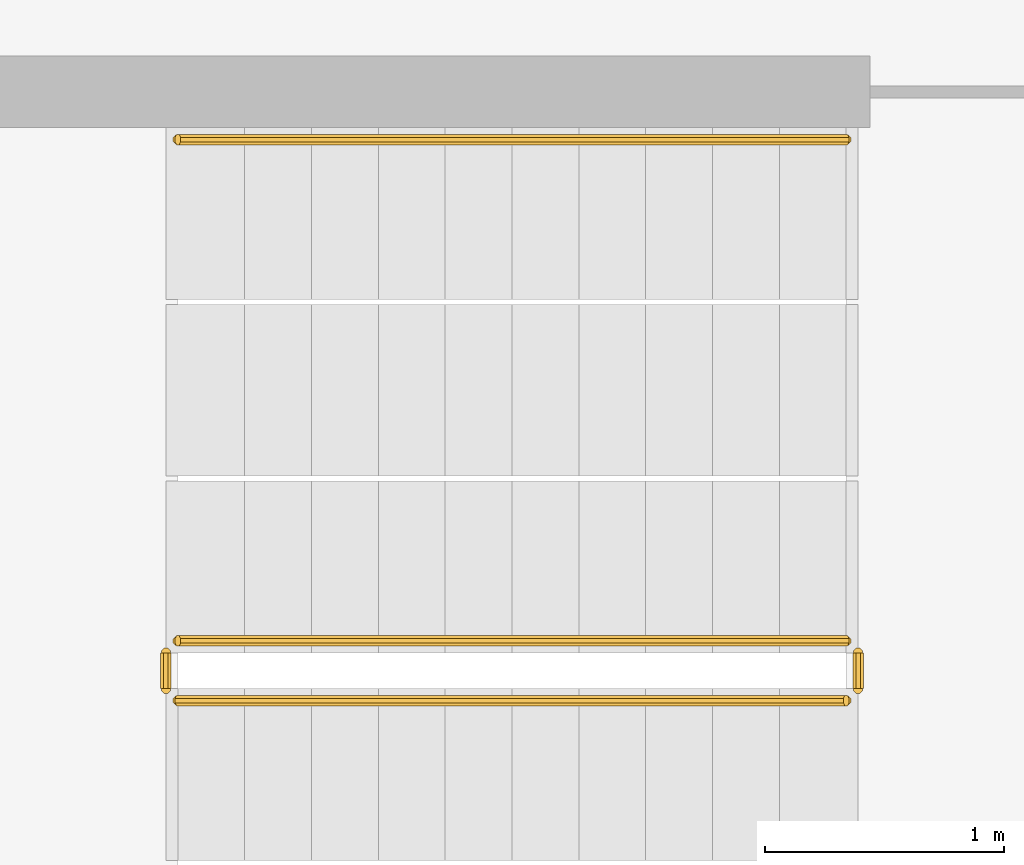
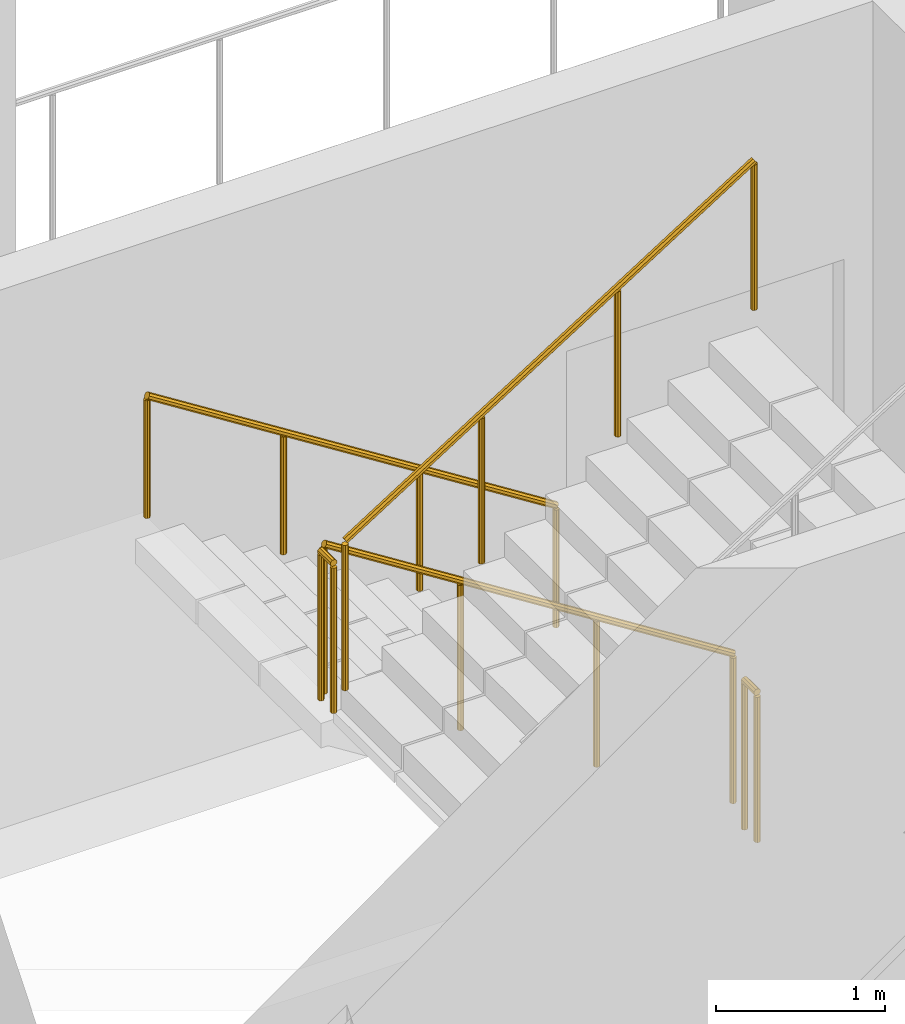
# One storey, part 20 of 26: 5 railings.
"""IFC4 building model written with IfcOpenShell, lengths in metres."""

from ifc_helpers import new_model, si_unit, direction, frame, origin, place, context, subcontext, project, spatial, polyline, outline, extrude, material, type_object, element, save


model = new_model("IFC4")

# Units and contexts
model_context = context("Model", 3, precision=1e-05, world=origin(), true_north=direction((0.0, 1.0)))
body_context = subcontext(model_context, "Body", "Model", "MODEL_VIEW")
ifc_project = project(units=[si_unit("LENGTHUNIT", "METRE"), si_unit("AREAUNIT", "SQUARE_METRE"), si_unit("VOLUMEUNIT", "CUBIC_METRE"), si_unit("PLANEANGLEUNIT", "RADIAN"), si_unit("MASSUNIT", "GRAM", prefix="KILO")], contexts=[model_context])

# Site, building, storey
site_placement = place(None, origin())
site = spatial("IfcSite", under=ifc_project, at=site_placement, CompositionType="ELEMENT")
building_placement = place(site_placement, origin())
building = spatial("IfcBuilding", under=site, at=building_placement, Name="Cormorant Relay Tower", CompositionType="ELEMENT")
storey_placement = place(building_placement, frame((0.0, 0.0, 261.89990234375)))
storey = spatial("IfcBuildingStorey", under=building, at=storey_placement, Name="L58", CompositionType="ELEMENT", Elevation=261.89990234375)

# Railings
ifc_material_1 = material(Name="Steel ASTM A572 Grade 50 (Fy 345 MPa)", Category="steel")
railing_type_1 = type_object("IfcRailingType", Name="Stair guard 1100", PredefinedType="GUARDRAIL", material=ifc_material_1)
railing_1_placement = place(storey_placement, frame((1.60009765625, -18.27490234375, 0.177490234375)))
element("IfcRailing", 1, at=railing_1_placement, inside=storey, type_object=railing_type_1, Name="L58 RK1 stair guard 1", PredefinedType="GUARDRAIL", context=body_context, shape_type="SweptSolid", body=[
    extrude(outline(polyline([(0.022216796875, 0.00927734375), (0.00927734375, 0.022216796875), (-0.00927734375, 0.022216796875), (-0.022216796875, 0.00927734375), (-0.022216796875, -0.00927734375), (-0.00927734375, -0.022216796875), (0.00927734375, -0.022216796875), (0.022216796875, -0.00927734375), (0.022216796875, 0.00927734375)])), frame((0.0, 0.0, 1.076171875), z_axis=(-0.844908973607, 0.0, 0.534910110503), x_axis=(0.0, -1.0, 0.0)), (0.0, 0.0, 1.0), 3.31396484375),
    extrude(outline(polyline([(0.019287109375, 0.008056640625), (0.008056640625, 0.019287109375), (-0.008056640625, 0.019287109375), (-0.019287109375, 0.008056640625), (-0.019287109375, -0.008056640625), (-0.008056640625, -0.019287109375), (0.008056640625, -0.019287109375), (0.019287109375, -0.008056640625), (0.019287109375, 0.008056640625)])), origin(), (0.0, 0.0, 1.0), 1.052001953125),
    extrude(outline(polyline([(0.019287109375, 0.008056640625), (0.008056640625, 0.019287109375), (-0.008056640625, 0.019287109375), (-0.019287109375, 0.008056640625), (-0.019287109375, -0.008056640625), (-0.008056640625, -0.019287109375), (0.008056640625, -0.019287109375), (0.019287109375, -0.008056640625), (0.019287109375, 0.008056640625)])), frame((-0.933349609375, 0.0, 0.5908203125)), (0.0, 0.0, 1.0), 1.052001953125),
    extrude(outline(polyline([(0.019287109375, 0.008056640625), (0.008056640625, 0.019287109375), (-0.008056640625, 0.019287109375), (-0.019287109375, 0.008056640625), (-0.019287109375, -0.008056640625), (-0.008056640625, -0.019287109375), (0.008056640625, -0.019287109375), (0.019287109375, -0.008056640625), (0.019287109375, 0.008056640625)])), frame((-1.86669921875, 0.0, 1.181884765625)), (0.0, 0.0, 1.0), 1.052001953125),
    extrude(outline(polyline([(0.019287109375, 0.008056640625), (0.008056640625, 0.019287109375), (-0.008056640625, 0.019287109375), (-0.019287109375, 0.008056640625), (-0.019287109375, -0.008056640625), (-0.008056640625, -0.019287109375), (0.008056640625, -0.019287109375), (0.019287109375, -0.008056640625), (0.019287109375, 0.008056640625)])), frame((-2.800048828125, 0.0, 1.772705078125)), (0.0, 0.0, 1.0), 1.052001953125),
])
railing_2_placement = place(storey_placement, frame((-1.25, -18.324951171875, 1.9501953125)))
element("IfcRailing", 2, at=railing_2_placement, inside=storey, type_object=railing_type_1, Name="L58 RK1 stair guard 2", PredefinedType="GUARDRAIL", context=body_context, shape_type="SweptSolid", body=[
    extrude(outline(polyline([(0.022216796875, 0.00927734375), (0.00927734375, 0.022216796875), (-0.00927734375, 0.022216796875), (-0.022216796875, 0.00927734375), (-0.022216796875, -0.00927734375), (-0.00927734375, -0.022216796875), (0.00927734375, -0.022216796875), (0.022216796875, -0.00927734375), (0.022216796875, 0.00927734375)])), frame((0.0, 0.0, 1.076171875), z_axis=(0.0, -1.0, 0.0), x_axis=(1.0, 0.0, 0.0)), (0.0, 0.0, 1.0), 0.150146484375),
    extrude(outline(polyline([(0.019287109375, 0.008056640625), (0.008056640625, 0.019287109375), (-0.008056640625, 0.019287109375), (-0.019287109375, 0.008056640625), (-0.019287109375, -0.008056640625), (-0.008056640625, -0.019287109375), (0.008056640625, -0.019287109375), (0.019287109375, -0.008056640625), (0.019287109375, 0.008056640625)])), origin(), (0.0, 0.0, 1.0), 1.052001953125),
    extrude(outline(polyline([(0.019287109375, 0.008056640625), (0.008056640625, 0.019287109375), (-0.008056640625, 0.019287109375), (-0.019287109375, 0.008056640625), (-0.019287109375, -0.008056640625), (-0.008056640625, -0.019287109375), (0.008056640625, -0.019287109375), (0.019287109375, -0.008056640625), (0.019287109375, 0.008056640625)])), frame((0.0, -0.150146484375, 0.0)), (0.0, 0.0, 1.0), 1.052001953125),
])
railing_3_placement = place(storey_placement, frame((-1.199951171875, -18.52490234375, 2.12744140625)))
element("IfcRailing", 3, at=railing_3_placement, inside=storey, type_object=railing_type_1, Name="L58 RK1 stair guard 3", PredefinedType="GUARDRAIL", context=body_context, shape_type="SweptSolid", body=[
    extrude(outline(polyline([(0.022216796875, 0.00927734375), (0.00927734375, 0.022216796875), (-0.00927734375, 0.022216796875), (-0.022216796875, 0.00927734375), (-0.022216796875, -0.00927734375), (-0.00927734375, -0.022216796875), (0.00927734375, -0.022216796875), (0.022216796875, -0.00927734375), (0.022216796875, 0.00927734375)])), frame((0.0, 0.0, 1.076171875), z_axis=(0.844908973607, 0.0, 0.534910110503), x_axis=(0.0, 1.0, 0.0)), (0.0, 0.0, 1.0), 3.31396484375),
    extrude(outline(polyline([(0.019287109375, 0.008056640625), (0.008056640625, 0.019287109375), (-0.008056640625, 0.019287109375), (-0.019287109375, 0.008056640625), (-0.019287109375, -0.008056640625), (-0.008056640625, -0.019287109375), (0.008056640625, -0.019287109375), (0.019287109375, -0.008056640625), (0.019287109375, 0.008056640625)])), origin(), (0.0, 0.0, 1.0), 1.052001953125),
    extrude(outline(polyline([(0.019287109375, 0.008056640625), (0.008056640625, 0.019287109375), (-0.008056640625, 0.019287109375), (-0.019287109375, 0.008056640625), (-0.019287109375, -0.008056640625), (-0.008056640625, -0.019287109375), (0.008056640625, -0.019287109375), (0.019287109375, -0.008056640625), (0.019287109375, 0.008056640625)])), frame((0.933349609375, 0.0, 0.5908203125)), (0.0, 0.0, 1.0), 1.052001953125),
    extrude(outline(polyline([(0.019287109375, 0.008056640625), (0.008056640625, 0.019287109375), (-0.008056640625, 0.019287109375), (-0.019287109375, 0.008056640625), (-0.019287109375, -0.008056640625), (-0.008056640625, -0.019287109375), (0.008056640625, -0.019287109375), (0.019287109375, -0.008056640625), (0.019287109375, 0.008056640625)])), frame((1.86669921875, 0.0, 1.181884765625)), (0.0, 0.0, 1.0), 1.052001953125),
    extrude(outline(polyline([(0.019287109375, 0.008056640625), (0.008056640625, 0.019287109375), (-0.008056640625, 0.019287109375), (-0.019287109375, 0.008056640625), (-0.019287109375, -0.008056640625), (-0.008056640625, -0.019287109375), (0.008056640625, -0.019287109375), (0.019287109375, -0.008056640625), (0.019287109375, 0.008056640625)])), frame((2.800048828125, 0.0, 1.772705078125)), (0.0, 0.0, 1.0), 1.052001953125),
])
railing_4_placement = place(storey_placement, frame((1.64990234375, -18.324951171875, 0.0)))
element("IfcRailing", 4, at=railing_4_placement, inside=storey, type_object=railing_type_1, Name="L58 RK1 stair guard 4", PredefinedType="GUARDRAIL", context=body_context, shape_type="SweptSolid", body=[
    extrude(outline(polyline([(0.022216796875, 0.00927734375), (0.00927734375, 0.022216796875), (-0.00927734375, 0.022216796875), (-0.022216796875, 0.00927734375), (-0.022216796875, -0.00927734375), (-0.00927734375, -0.022216796875), (0.00927734375, -0.022216796875), (0.022216796875, -0.00927734375), (0.022216796875, 0.00927734375)])), frame((0.0, 0.0, 1.076171875), z_axis=(0.0, -1.0, 0.0), x_axis=(1.0, 0.0, 0.0)), (0.0, 0.0, 1.0), 0.150146484375),
    extrude(outline(polyline([(0.019287109375, 0.008056640625), (0.008056640625, 0.019287109375), (-0.008056640625, 0.019287109375), (-0.019287109375, 0.008056640625), (-0.019287109375, -0.008056640625), (-0.008056640625, -0.019287109375), (0.008056640625, -0.019287109375), (0.019287109375, -0.008056640625), (0.019287109375, 0.008056640625)])), origin(), (0.0, 0.0, 1.0), 1.052001953125),
    extrude(outline(polyline([(0.019287109375, 0.008056640625), (0.008056640625, 0.019287109375), (-0.008056640625, 0.019287109375), (-0.019287109375, 0.008056640625), (-0.019287109375, -0.008056640625), (-0.008056640625, -0.019287109375), (0.008056640625, -0.019287109375), (0.019287109375, -0.008056640625), (0.019287109375, 0.008056640625)])), frame((0.0, -0.150146484375, 0.0)), (0.0, 0.0, 1.0), 1.052001953125),
])
ifc_material_2 = material(Name="Steel ASTM A572 Grade 50 (Fy 345 MPa)", Category="steel")
railing_type_2 = type_object("IfcRailingType", Name="Stair handrail 900", PredefinedType="HANDRAIL", material=ifc_material_2)
railing_5_placement = place(storey_placement, frame((1.60009765625, -16.175048828125, 0.177490234375)))
element("IfcRailing", 5, at=railing_5_placement, inside=storey, type_object=railing_type_2, Name="L58 RK1 stair handrail 1", PredefinedType="HANDRAIL", context=body_context, shape_type="SweptSolid", body=[
    extrude(outline(polyline([(0.022216796875, 0.00927734375), (0.00927734375, 0.022216796875), (-0.00927734375, 0.022216796875), (-0.022216796875, 0.00927734375), (-0.022216796875, -0.00927734375), (-0.00927734375, -0.022216796875), (0.00927734375, -0.022216796875), (0.022216796875, -0.00927734375), (0.022216796875, 0.00927734375)])), frame((0.0, 0.0, 0.8759765625), z_axis=(-0.844908973607, 0.0, 0.534910110503), x_axis=(0.0, -1.0, 0.0)), (0.0, 0.0, 1.0), 3.31396484375),
    extrude(outline(polyline([(0.019287109375, 0.008056640625), (0.008056640625, 0.019287109375), (-0.008056640625, 0.019287109375), (-0.019287109375, 0.008056640625), (-0.019287109375, -0.008056640625), (-0.008056640625, -0.019287109375), (0.008056640625, -0.019287109375), (0.019287109375, -0.008056640625), (0.019287109375, 0.008056640625)])), origin(), (0.0, 0.0, 1.0), 0.851806640625),
    extrude(outline(polyline([(0.019287109375, 0.008056640625), (0.008056640625, 0.019287109375), (-0.008056640625, 0.019287109375), (-0.019287109375, 0.008056640625), (-0.019287109375, -0.008056640625), (-0.008056640625, -0.019287109375), (0.008056640625, -0.019287109375), (0.019287109375, -0.008056640625), (0.019287109375, 0.008056640625)])), frame((-0.933349609375, 0.0, 0.5908203125)), (0.0, 0.0, 1.0), 0.851806640625),
    extrude(outline(polyline([(0.019287109375, 0.008056640625), (0.008056640625, 0.019287109375), (-0.008056640625, 0.019287109375), (-0.019287109375, 0.008056640625), (-0.019287109375, -0.008056640625), (-0.008056640625, -0.019287109375), (0.008056640625, -0.019287109375), (0.019287109375, -0.008056640625), (0.019287109375, 0.008056640625)])), frame((-1.86669921875, 0.0, 1.181884765625)), (0.0, 0.0, 1.0), 0.851806640625),
    extrude(outline(polyline([(0.019287109375, 0.008056640625), (0.008056640625, 0.019287109375), (-0.008056640625, 0.019287109375), (-0.019287109375, 0.008056640625), (-0.019287109375, -0.008056640625), (-0.008056640625, -0.019287109375), (0.008056640625, -0.019287109375), (0.019287109375, -0.008056640625), (0.019287109375, 0.008056640625)])), frame((-2.800048828125, 0.0, 1.772705078125)), (0.0, 0.0, 1.0), 0.851806640625),
])

save(model, "model.ifc")
